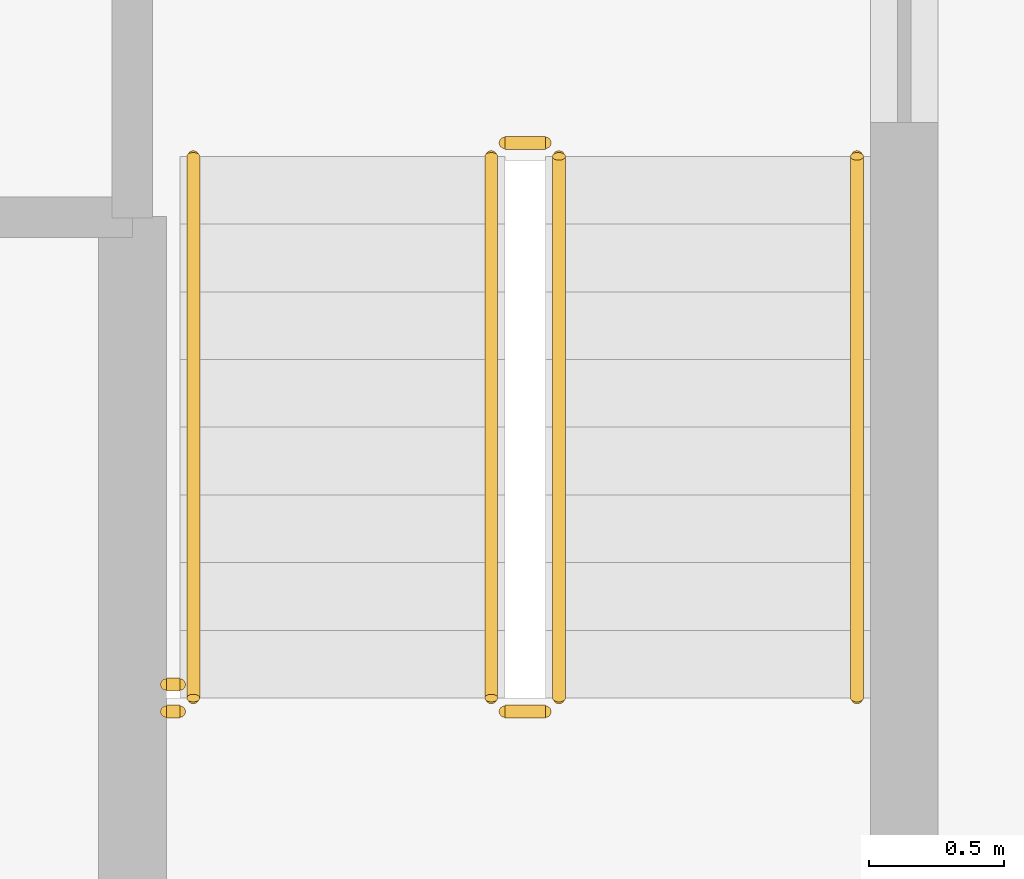
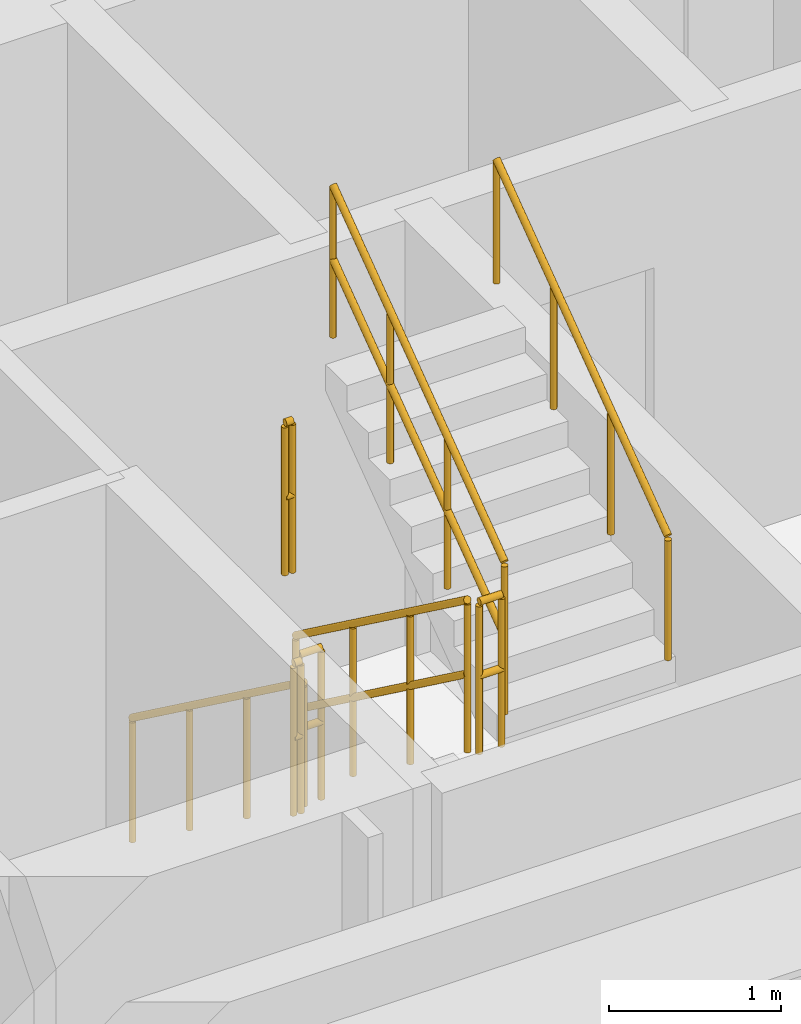
# One storey, part 14 of 16: 8 railings.
"""IFC4 building model written with IfcOpenShell, lengths in metres."""

from ifc_helpers import new_model, si_unit, direction, frame, origin, origin_2d, place, context, subcontext, project, spatial, circle, extrude, material, type_object, element, save


model = new_model("IFC4")

# Units and contexts
model_context = context("Model", 3, precision=1e-05, world=origin(), true_north=direction((0.0, 1.0)))
body_context = subcontext(model_context, "Body", "Model", "MODEL_VIEW")
ifc_project = project(units=[si_unit("LENGTHUNIT", "METRE"), si_unit("AREAUNIT", "SQUARE_METRE"), si_unit("VOLUMEUNIT", "CUBIC_METRE"), si_unit("PLANEANGLEUNIT", "RADIAN"), si_unit("MASSUNIT", "GRAM", prefix="KILO")], contexts=[model_context])

# Site, building, storey
site_placement = place(None, origin())
site = spatial("IfcSite", under=ifc_project, at=site_placement, CompositionType="ELEMENT")
building_placement = place(site_placement, origin())
building = spatial("IfcBuilding", under=site, at=building_placement, Name="Nakaniwa Court", CompositionType="ELEMENT")
storey_placement = place(building_placement, frame((0.0, 0.0, 196.5)))
storey = spatial("IfcBuildingStorey", under=building, at=storey_placement, Name="L51", CompositionType="ELEMENT", Elevation=196.5)

# Railings
ifc_material_1 = material(Name="Black powder coated steel guard", Category="steel")
railing_type_1 = type_object("IfcRailingType", Name="Stair guard 1100", PredefinedType="GUARDRAIL", material=ifc_material_1)
railing_1_placement = place(storey_placement, frame((81.875, 61.824951171875, 0.183349609375)))
element("IfcRailing", 1, at=railing_1_placement, inside=storey, type_object=railing_type_1, Name="L51 ST4 stair guard 1", PredefinedType="GUARDRAIL", context=body_context, shape_type="SweptSolid", body=[
    extrude(circle(Radius=0.02392578125, at=origin_2d()), frame((0.0, 0.0, 1.076171875), z_axis=(0.0, -0.806426902644, 0.591333789573), x_axis=(1.0, 0.0, 0.0)), (0.0, 0.0, 1.0), 2.47998046875),
    extrude(circle(Radius=0.02392578125, at=origin_2d()), frame((0.0, 0.0, 0.550048828125), z_axis=(0.0, -0.806426902644, 0.591333789573), x_axis=(1.0, 0.0, 0.0)), (0.0, 0.0, 1.0), 2.47998046875),
    extrude(circle(Radius=0.02099609375, at=origin_2d()), origin(), (0.0, 0.0, 1.0), 1.052001953125),
    extrude(circle(Radius=0.02099609375, at=origin_2d()), frame((0.0, -0.666748046875, 0.48876953125)), (0.0, 0.0, 1.0), 1.052001953125),
    extrude(circle(Radius=0.02099609375, at=origin_2d()), frame((0.0, -1.333251953125, 0.977783203125)), (0.0, 0.0, 1.0), 1.052001953125),
    extrude(circle(Radius=0.02099609375, at=origin_2d()), frame((0.0, -2.0, 1.466552734375)), (0.0, 0.0, 1.0), 1.052001953125),
])
railing_2_placement = place(storey_placement, frame((81.925048828125, 59.77490234375, 1.64990234375)))
element("IfcRailing", 2, at=railing_2_placement, inside=storey, type_object=railing_type_1, Name="L51 ST4 stair guard 2", PredefinedType="GUARDRAIL", context=body_context, shape_type="SweptSolid", body=[
    extrude(circle(Radius=0.02392578125, at=origin_2d()), frame((0.0, 0.0, 1.076171875), z_axis=(1.0, 0.0, 0.0), x_axis=(0.0, 1.0, 0.0)), (0.0, 0.0, 1.0), 0.14990234375),
    extrude(circle(Radius=0.02392578125, at=origin_2d()), frame((0.0, 0.0, 0.550048828125), z_axis=(1.0, 0.0, 0.0), x_axis=(0.0, 1.0, 0.0)), (0.0, 0.0, 1.0), 0.14990234375),
    extrude(circle(Radius=0.02099609375, at=origin_2d()), origin(), (0.0, 0.0, 1.0), 1.052001953125),
    extrude(circle(Radius=0.02099609375, at=origin_2d()), frame((0.14990234375, 0.0, 0.0)), (0.0, 0.0, 1.0), 1.052001953125),
])
railing_3_placement = place(storey_placement, frame((82.125, 59.824951171875, 1.833251953125)))
element("IfcRailing", 3, at=railing_3_placement, inside=storey, type_object=railing_type_1, Name="L51 ST4 stair guard 3", PredefinedType="GUARDRAIL", context=body_context, shape_type="SweptSolid", body=[
    extrude(circle(Radius=0.02392578125, at=origin_2d()), frame((0.0, 0.0, 1.076171875), z_axis=(0.0, 0.806379959628, 0.591397802423), x_axis=(-1.0, 0.0, 0.0)), (0.0, 0.0, 1.0), 2.480224609375),
    extrude(circle(Radius=0.02392578125, at=origin_2d()), frame((0.0, 0.0, 0.550048828125), z_axis=(0.0, 0.806379959628, 0.591397802423), x_axis=(-1.0, 0.0, 0.0)), (0.0, 0.0, 1.0), 2.480224609375),
    extrude(circle(Radius=0.02099609375, at=origin_2d()), origin(), (0.0, 0.0, 1.0), 1.052001953125),
    extrude(circle(Radius=0.02099609375, at=origin_2d()), frame((0.0, 0.666748046875, 0.489013671875)), (0.0, 0.0, 1.0), 1.052001953125),
    extrude(circle(Radius=0.02099609375, at=origin_2d()), frame((0.0, 1.333251953125, 0.977783203125)), (0.0, 0.0, 1.0), 1.052001953125),
    extrude(circle(Radius=0.02099609375, at=origin_2d()), frame((0.0, 2.0, 1.466796875)), (0.0, 0.0, 1.0), 1.052001953125),
])
railing_4_placement = place(storey_placement, frame((81.925048828125, 61.875, 0.0)))
element("IfcRailing", 4, at=railing_4_placement, inside=storey, type_object=railing_type_1, Name="L51 ST4 stair guard 4", PredefinedType="GUARDRAIL", context=body_context, shape_type="SweptSolid", body=[
    extrude(circle(Radius=0.02392578125, at=origin_2d()), frame((0.0, 0.0, 1.076171875), z_axis=(1.0, 0.0, 0.0), x_axis=(0.0, 1.0, 0.0)), (0.0, 0.0, 1.0), 0.14990234375),
    extrude(circle(Radius=0.02392578125, at=origin_2d()), frame((0.0, 0.0, 0.550048828125), z_axis=(1.0, 0.0, 0.0), x_axis=(0.0, 1.0, 0.0)), (0.0, 0.0, 1.0), 0.14990234375),
    extrude(circle(Radius=0.02099609375, at=origin_2d()), origin(), (0.0, 0.0, 1.0), 1.052001953125),
    extrude(circle(Radius=0.02099609375, at=origin_2d()), frame((0.14990234375, 0.0, 0.0)), (0.0, 0.0, 1.0), 1.052001953125),
])
for number, where, name in (
    (5, (80.675048828125, 59.77490234375, 1.64990234375), "L51 ST4 landing side guard 1W"),
    (6, (80.675048828125, 59.875, 3.300048828125), "L51 ST4 floor edge guard 1W"),
):
    element("IfcRailing", number, at=place(storey_placement, frame(where)), inside=storey, type_object=railing_type_1, Name=name, PredefinedType="GUARDRAIL", context=body_context, shape_type="SweptSolid", body=[
        extrude(circle(Radius=0.02392578125, at=origin_2d()), frame((0.0, 0.0, 1.076171875), z_axis=(1.0, 0.0, 0.0), x_axis=(0.0, 1.0, 0.0)), (0.0, 0.0, 1.0), 0.050048828125),
        extrude(circle(Radius=0.02392578125, at=origin_2d()), frame((0.0, 0.0, 0.550048828125), z_axis=(1.0, 0.0, 0.0), x_axis=(0.0, 1.0, 0.0)), (0.0, 0.0, 1.0), 0.050048828125),
        extrude(circle(Radius=0.02099609375, at=origin_2d()), origin(), (0.0, 0.0, 1.0), 1.052001953125),
        extrude(circle(Radius=0.02099609375, at=origin_2d()), frame((0.050048828125, 0.0, 0.0)), (0.0, 0.0, 1.0), 1.052001953125),
    ])
ifc_material_2 = material(Name="Black powder coated steel handrail", Category="steel")
railing_type_2 = type_object("IfcRailingType", Name="Stair handrail 900", PredefinedType="HANDRAIL", material=ifc_material_2)
railing_5_placement = place(storey_placement, frame((80.77490234375, 61.824951171875, 0.183349609375)))
element("IfcRailing", 7, at=railing_5_placement, inside=storey, type_object=railing_type_2, Name="L51 ST4 stair handrail 1", PredefinedType="HANDRAIL", context=body_context, shape_type="SweptSolid", body=[
    extrude(circle(Radius=0.02392578125, at=origin_2d()), frame((0.0, 0.0, 0.8759765625), z_axis=(0.0, -0.806426902644, 0.591333789573), x_axis=(1.0, 0.0, 0.0)), (0.0, 0.0, 1.0), 2.47998046875),
    extrude(circle(Radius=0.02099609375, at=origin_2d()), origin(), (0.0, 0.0, 1.0), 0.851806640625),
    extrude(circle(Radius=0.02099609375, at=origin_2d()), frame((0.0, -0.666748046875, 0.48876953125)), (0.0, 0.0, 1.0), 0.851806640625),
    extrude(circle(Radius=0.02099609375, at=origin_2d()), frame((0.0, -1.333251953125, 0.977783203125)), (0.0, 0.0, 1.0), 0.851806640625),
    extrude(circle(Radius=0.02099609375, at=origin_2d()), frame((0.0, -2.0, 1.466552734375)), (0.0, 0.0, 1.0), 0.851806640625),
])
railing_6_placement = place(storey_placement, frame((83.22509765625, 59.824951171875, 1.833251953125)))
element("IfcRailing", 8, at=railing_6_placement, inside=storey, type_object=railing_type_2, Name="L51 ST4 stair handrail 2", PredefinedType="HANDRAIL", context=body_context, shape_type="SweptSolid", body=[
    extrude(circle(Radius=0.02392578125, at=origin_2d()), frame((0.0, 0.0, 0.8759765625), z_axis=(0.0, 0.806379959628, 0.591397802423), x_axis=(-1.0, 0.0, 0.0)), (0.0, 0.0, 1.0), 2.480224609375),
    extrude(circle(Radius=0.02099609375, at=origin_2d()), origin(), (0.0, 0.0, 1.0), 0.851806640625),
    extrude(circle(Radius=0.02099609375, at=origin_2d()), frame((0.0, 0.666748046875, 0.489013671875)), (0.0, 0.0, 1.0), 0.851806640625),
    extrude(circle(Radius=0.02099609375, at=origin_2d()), frame((0.0, 1.333251953125, 0.977783203125)), (0.0, 0.0, 1.0), 0.851806640625),
    extrude(circle(Radius=0.02099609375, at=origin_2d()), frame((0.0, 2.0, 1.466796875)), (0.0, 0.0, 1.0), 0.851806640625),
])

save(model, "model.ifc")
